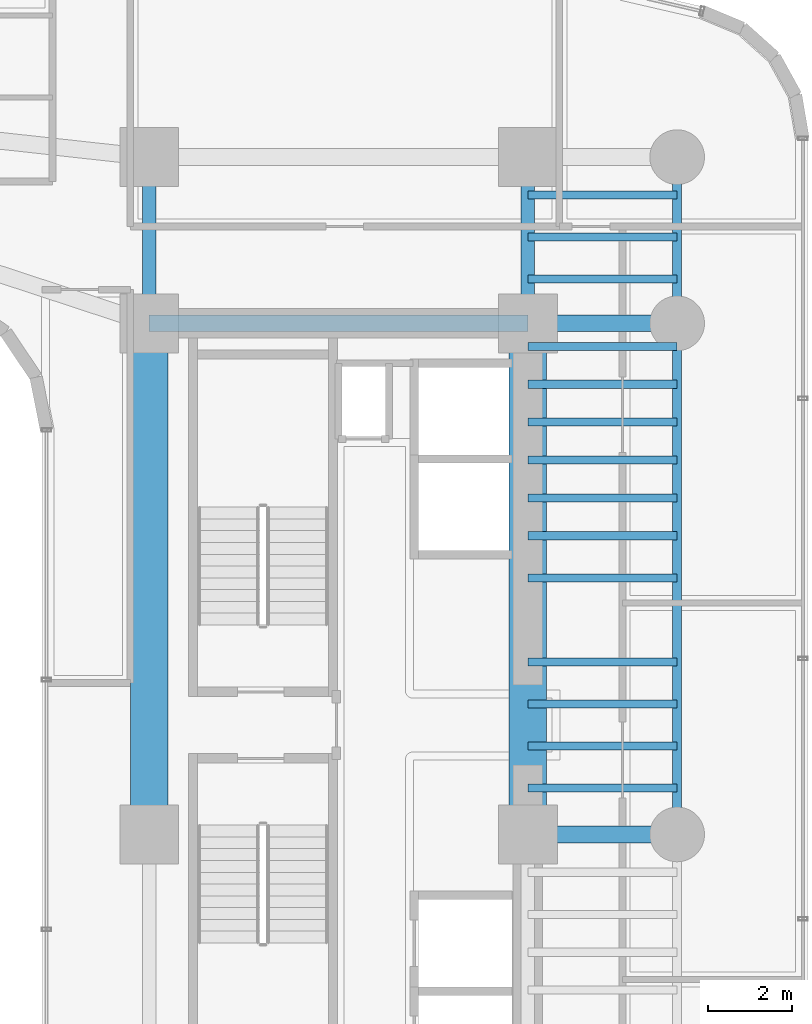
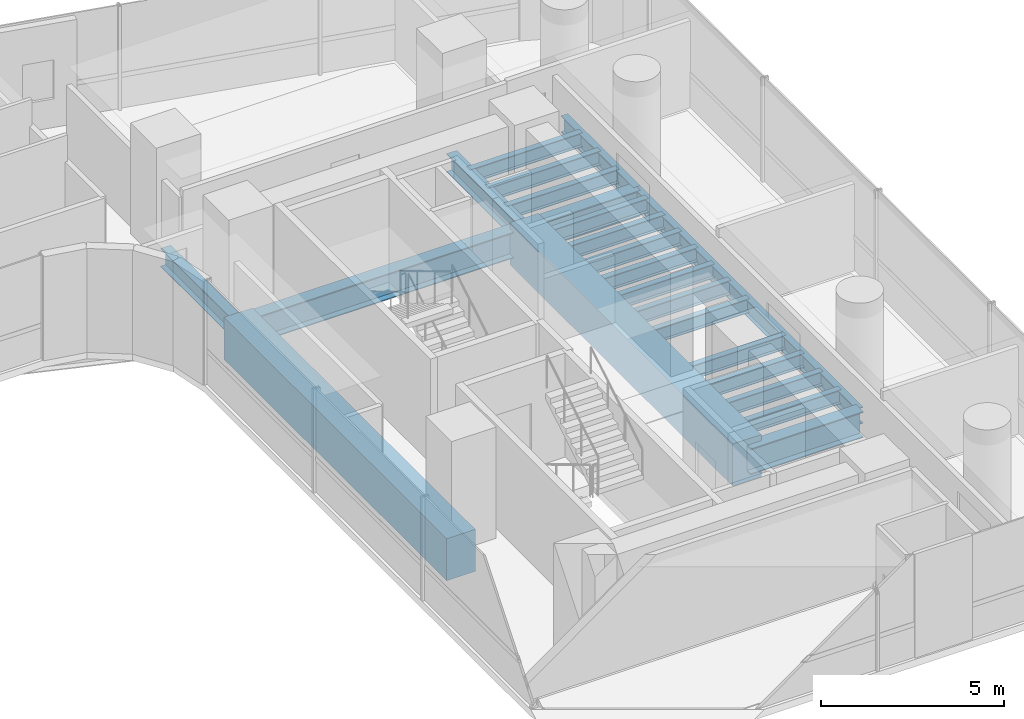
# One storey, part 17 of 41: 23 beams.
"""IFC4 building model written with IfcOpenShell, lengths in metres."""

from ifc_helpers import new_model, si_unit, direction, frame, origin, origin_2d, place, context, subcontext, project, spatial, rectangle, i_section, extrude, source, transform, mapped, material, material_profile, profile_set, type_object, element, save


model = new_model("IFC4")

# Units and contexts
model_context = context("Model", 3, precision=1e-05, world=origin(), true_north=direction((0.0, 1.0)))
body_context = subcontext(model_context, "Body", "Model", "MODEL_VIEW")
ifc_project = project(units=[si_unit("LENGTHUNIT", "METRE"), si_unit("AREAUNIT", "SQUARE_METRE"), si_unit("VOLUMEUNIT", "CUBIC_METRE"), si_unit("PLANEANGLEUNIT", "RADIAN"), si_unit("MASSUNIT", "GRAM", prefix="KILO")], contexts=[model_context])

# Site, building, storey
site_placement = place(None, origin())
site = spatial("IfcSite", under=ifc_project, at=site_placement, CompositionType="ELEMENT")
building_placement = place(site_placement, origin())
building = spatial("IfcBuilding", under=site, at=building_placement, Name="Valdorenza Pilgrim Sanctuary Tower", CompositionType="ELEMENT")
storey_placement = place(building_placement, frame((0.0, 0.0, 59.300048828125)))
storey = spatial("IfcBuildingStorey", under=building, at=storey_placement, Name="L14", CompositionType="ELEMENT", Elevation=59.300048828125)

# Beams
ifc_material_1 = material(Name="Concrete C60/75", Category="concrete")
ifc_material_profile_1 = material_profile(ifc_material_1, rectangle(XDim=0.89990234375, YDim=1.39990234375, at=origin_2d()), Name="RC 1400x900")
ifc_profile_set_1 = profile_set([ifc_material_profile_1], Name="Concrete C60/75")
beam_type_1 = type_object("IfcBeamType", Name="STR-BM-LNT-1400", PredefinedType="LINTEL", material=ifc_profile_set_1)
shared_shape_1 = source(origin(), body_context, "Body", "SweptSolid", [
    extrude(rectangle(XDim=0.89990234375, YDim=1.39990234375, at=origin_2d()), origin(), (0.0, 0.0, 1.0), 12.150146484375),
])
for number, where, z_axis, x_axis, name in (
    (1, (15.85009765625, -2.60009765625, -0.739990234375), (0.0, 1.0, 0.0), (-1.0, 0.0, 0.0), "L14 Core B West Coupling Lintel Girder"),
    (2, (24.85009765625, -2.60009765625, -0.739990234375), (0.0, 1.0, 0.0), (-1.0, 0.0, 0.0), "L14 Core B East Coupling Lintel Girder"),
):
    element("IfcBeam", number, at=place(storey_placement, frame(where, z_axis=z_axis, x_axis=x_axis)), inside=storey, type_object=beam_type_1, Name=name, PredefinedType="LINTEL", context=body_context, shape_type="MappedRepresentation", body=[
        mapped(shared_shape_1, transform((0.0, 0.0, 0.0), x_axis=(1.0, 0.0, 0.0), y_axis=(0.0, 1.0, 0.0), z_axis=(0.0, 0.0, 1.0), scale=1.0)),
    ])
ifc_material_2 = material(Name="Steel ASTM A992 Grade 50", Category="steel")
ifc_material_profile_2 = material_profile(ifc_material_2, i_section(OverallWidth=0.214111328125, OverallDepth=0.549072265625, WebThickness=0.0146484375, FlangeThickness=0.023681640625, at=origin_2d()), Name="W21X93")
ifc_profile_set_2 = profile_set([ifc_material_profile_2], Name="Steel ASTM A992 Grade 50")
beam_type_2 = type_object("IfcBeamType", Name="STR-BM-SPN-W21A", PredefinedType="SPANDREL", material=ifc_profile_set_2)
shared_shape_2 = source(origin(), body_context, "Body", "SweptSolid", [
    extrude(i_section(OverallWidth=0.214111328125, OverallDepth=0.549072265625, WebThickness=0.0146484375, FlangeThickness=0.023681640625, at=origin_2d()), origin(), (0.0, 0.0, 1.0), 12.150146484375),
])
beam_1_placement = place(storey_placement, frame((28.39990234375, -2.60009765625, -0.5146484375), z_axis=(0.0, 1.0, 0.0), x_axis=(-1.0, 0.0, 0.0)))
element("IfcBeam", 3, at=beam_1_placement, inside=storey, type_object=beam_type_2, Name="L14 Spandrel Beam WB-E-M0N1", PredefinedType="SPANDREL", context=body_context, shape_type="MappedRepresentation", body=[
    mapped(shared_shape_2, transform((0.0, 0.0, 0.0), x_axis=(1.0, 0.0, 0.0), y_axis=(0.0, 1.0, 0.0), z_axis=(0.0, 0.0, 1.0), scale=1.0)),
])
ifc_material_profile_3 = material_profile(ifc_material_2, i_section(OverallWidth=0.323974609375, OverallDepth=0.611083984375, WebThickness=0.0126953125, FlangeThickness=0.01904296875, at=origin_2d()), Name="W24X104")
ifc_profile_set_3 = profile_set([ifc_material_profile_3], Name="Steel ASTM A992 Grade 50")
beam_type_3 = type_object("IfcBeamType", Name="STR-BM-GRD-W24B", PredefinedType="BEAM", material=ifc_profile_set_3)
shared_shape_3 = source(origin(), body_context, "Body", "SweptSolid", [
    extrude(i_section(OverallWidth=0.323974609375, OverallDepth=0.611083984375, WebThickness=0.0126953125, FlangeThickness=0.01904296875, at=origin_2d()), origin(), (0.0, 0.0, 1.0), 3.949951171875),
])
for number, where, z_axis, x_axis, name in (
    (4, (15.85009765625, 9.550048828125, -0.545654296875), (0.0, 1.0, 0.0), (-1.0, 0.0, 0.0), "L14 Core Tie Girder CB-W-N1N2"),
    (5, (24.85009765625, 9.550048828125, -0.545654296875), (0.0, 1.0, 0.0), (-1.0, 0.0, 0.0), "L14 Core Tie Girder CB-E-N1N2"),
):
    element("IfcBeam", number, at=place(storey_placement, frame(where, z_axis=z_axis, x_axis=x_axis)), inside=storey, type_object=beam_type_3, Name=name, PredefinedType="BEAM", context=body_context, shape_type="MappedRepresentation", body=[
        mapped(shared_shape_3, transform((0.0, 0.0, 0.0), x_axis=(1.0, 0.0, 0.0), y_axis=(0.0, 1.0, 0.0), z_axis=(0.0, 0.0, 1.0), scale=1.0)),
    ])
shared_shape_4 = source(origin(), body_context, "Body", "SweptSolid", [
    extrude(i_section(OverallWidth=0.214111328125, OverallDepth=0.549072265625, WebThickness=0.0146484375, FlangeThickness=0.023681640625, at=origin_2d()), origin(), (0.0, 0.0, 1.0), 3.949951171875),
])
beam_2_placement = place(storey_placement, frame((28.39990234375, 9.550048828125, -0.5146484375), z_axis=(0.0, 1.0, 0.0), x_axis=(-1.0, 0.0, 0.0)))
element("IfcBeam", 6, at=beam_2_placement, inside=storey, type_object=beam_type_2, Name="L14 Spandrel Beam WB-E-N1N2", PredefinedType="SPANDREL", context=body_context, shape_type="MappedRepresentation", body=[
    mapped(shared_shape_4, transform((0.0, 0.0, 0.0), x_axis=(1.0, 0.0, 0.0), y_axis=(0.0, 1.0, 0.0), z_axis=(0.0, 0.0, 1.0), scale=1.0)),
])
ifc_material_profile_4 = material_profile(ifc_material_2, i_section(OverallWidth=0.193115234375, OverallDepth=0.466064453125, WebThickness=0.011474609375, FlangeThickness=0.01904296875, at=origin_2d()), Name="W18X65")
ifc_profile_set_4 = profile_set([ifc_material_profile_4], Name="Steel ASTM A992 Grade 50")
beam_type_4 = type_object("IfcBeamType", Name="STR-BM-JST-W18A", PredefinedType="JOIST", material=ifc_profile_set_4)
shared_shape_5 = source(origin(), body_context, "Body", "SweptSolid", [
    extrude(i_section(OverallWidth=0.193115234375, OverallDepth=0.466064453125, WebThickness=0.011474609375, FlangeThickness=0.01904296875, at=origin_2d()), origin(), (0.0, 0.0, 1.0), 3.5498046875),
])
for number, where, z_axis, x_axis, name in (
    (7, (24.85009765625, -1.5, -0.47314453125), (1.0, 0.0, 0.0), (0.0, 1.0, 0.0), "L14 Composite Floor Joist JST-WB-8"),
    (8, (24.85009765625, -0.5, -0.47314453125), (1.0, 0.0, 0.0), (0.0, 1.0, 0.0), "L14 Composite Floor Joist JST-WB-9"),
    (9, (24.85009765625, 0.5, -0.47314453125), (1.0, 0.0, 0.0), (0.0, 1.0, 0.0), "L14 Composite Floor Joist JST-WB-10"),
    (10, (24.85009765625, 1.5, -0.47314453125), (1.0, 0.0, 0.0), (0.0, 1.0, 0.0), "L14 Composite Floor Joist JST-WB-11"),
    (11, (24.85009765625, 3.5, -0.47314453125), (1.0, 0.0, 0.0), (0.0, 1.0, 0.0), "L14 Composite Floor Joist JST-WB-12"),
    (12, (24.85009765625, 4.5, -0.47314453125), (1.0, 0.0, 0.0), (0.0, 1.0, 0.0), "L14 Composite Floor Joist JST-WB-13"),
    (13, (24.85009765625, 5.39990234375, -0.47314453125), (1.0, 0.0, 0.0), (0.0, 1.0, 0.0), "L14 Composite Floor Joist JST-WB-14"),
    (14, (24.85009765625, 6.300048828125, -0.47314453125), (1.0, 0.0, 0.0), (0.0, 1.0, 0.0), "L14 Composite Floor Joist JST-WB-15"),
    (15, (24.85009765625, 7.199951171875, -0.47314453125), (1.0, 0.0, 0.0), (0.0, 1.0, 0.0), "L14 Composite Floor Joist JST-WB-16"),
    (16, (24.85009765625, 8.10009765625, -0.47314453125), (1.0, 0.0, 0.0), (0.0, 1.0, 0.0), "L14 Composite Floor Joist JST-WB-17"),
    (17, (24.85009765625, 9.0, -0.47314453125), (1.0, 0.0, 0.0), (0.0, 1.0, 0.0), "L14 Composite Floor Joist JST-WB-18"),
    (18, (24.85009765625, 10.60009765625, -0.47314453125), (1.0, 0.0, 0.0), (0.0, 1.0, 0.0), "L14 Composite Floor Joist JST-WB-19"),
    (19, (24.85009765625, 11.60009765625, -0.47314453125), (1.0, 0.0, 0.0), (0.0, 1.0, 0.0), "L14 Composite Floor Joist JST-WB-20"),
    (20, (24.85009765625, 12.60009765625, -0.47314453125), (1.0, 0.0, 0.0), (0.0, 1.0, 0.0), "L14 Composite Floor Joist JST-WB-21"),
):
    element("IfcBeam", number, at=place(storey_placement, frame(where, z_axis=z_axis, x_axis=x_axis)), inside=storey, type_object=beam_type_4, Name=name, PredefinedType="JOIST", context=body_context, shape_type="MappedRepresentation", body=[
        mapped(shared_shape_5, transform((0.0, 0.0, 0.0), x_axis=(1.0, 0.0, 0.0), y_axis=(0.0, 1.0, 0.0), z_axis=(0.0, 0.0, 1.0), scale=1.0)),
    ])
ifc_material_profile_5 = material_profile(ifc_material_2, i_section(OverallWidth=0.39990234375, OverallDepth=0.862060546875, WebThickness=0.019775390625, FlangeThickness=0.032470703125, at=origin_2d()), Name="W33X221")
ifc_profile_set_5 = profile_set([ifc_material_profile_5], Name="Steel ASTM A992 Grade 50")
beam_type_5 = type_object("IfcBeamType", Name="STR-BM-GRD-W33", PredefinedType="BEAM", material=ifc_profile_set_5)
shared_shape_6 = source(origin(), body_context, "Body", "SweptSolid", [
    extrude(i_section(OverallWidth=0.39990234375, OverallDepth=0.862060546875, WebThickness=0.019775390625, FlangeThickness=0.032470703125, at=origin_2d()), origin(), (0.0, 0.0, 1.0), 9.0),
])
beam_3_placement = place(storey_placement, frame((15.85009765625, 9.550048828125, -0.671142578125), z_axis=(1.0, 0.0, 0.0), x_axis=(0.0, 1.0, 0.0)))
element("IfcBeam", 21, at=beam_3_placement, inside=storey, type_object=beam_type_5, Name="L14 Floor Girder CB-XC-N1", PredefinedType="BEAM", context=body_context, shape_type="MappedRepresentation", body=[
    mapped(shared_shape_6, transform((0.0, 0.0, 0.0), x_axis=(1.0, 0.0, 0.0), y_axis=(0.0, 1.0, 0.0), z_axis=(0.0, 0.0, 1.0), scale=1.0)),
])
shared_shape_7 = source(origin(), body_context, "Body", "SweptSolid", [
    extrude(i_section(OverallWidth=0.39990234375, OverallDepth=0.862060546875, WebThickness=0.019775390625, FlangeThickness=0.032470703125, at=origin_2d()), origin(), (0.0, 0.0, 1.0), 3.5498046875),
])
for number, where, z_axis, x_axis, name in (
    (22, (24.85009765625, -2.60009765625, -0.671142578125), (1.0, 0.0, 0.0), (0.0, 1.0, 0.0), "L14 Floor Girder WB-XE-M0"),
    (23, (24.85009765625, 9.550048828125, -0.671142578125), (1.0, 0.0, 0.0), (0.0, 1.0, 0.0), "L14 Floor Girder WB-XE-N1"),
):
    element("IfcBeam", number, at=place(storey_placement, frame(where, z_axis=z_axis, x_axis=x_axis)), inside=storey, type_object=beam_type_5, Name=name, PredefinedType="BEAM", context=body_context, shape_type="MappedRepresentation", body=[
        mapped(shared_shape_7, transform((0.0, 0.0, 0.0), x_axis=(1.0, 0.0, 0.0), y_axis=(0.0, 1.0, 0.0), z_axis=(0.0, 0.0, 1.0), scale=1.0)),
    ])

save(model, "model.ifc")
